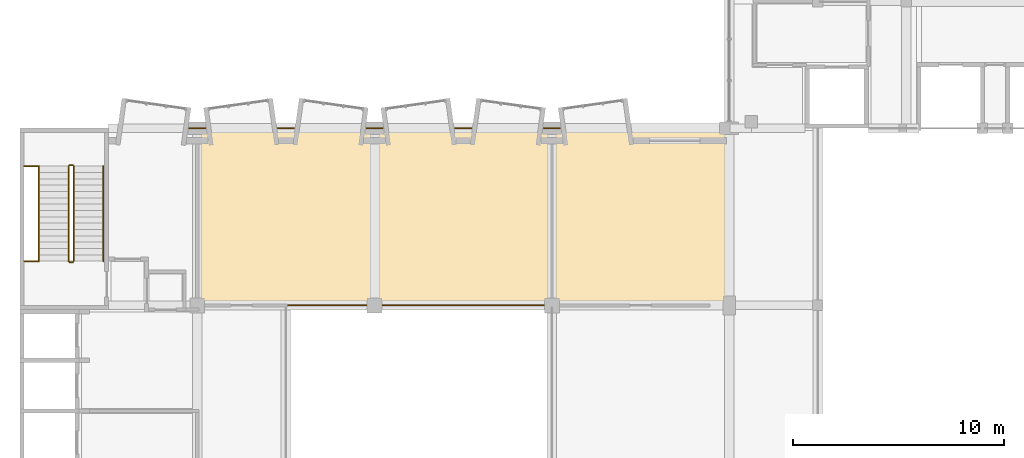
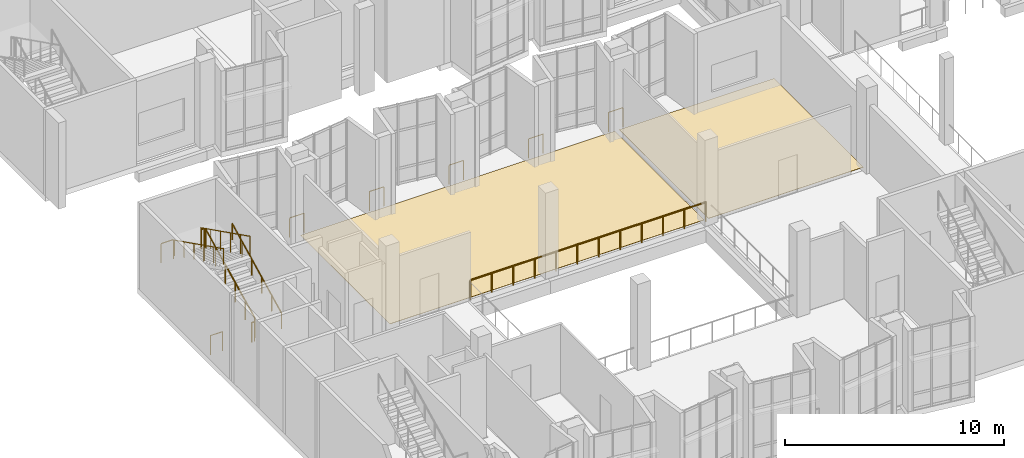
# One storey, part 86 of 100: 14 railings, 2 coverings.
"""IFC4 building model written with IfcOpenShell, lengths in metres."""

import ifcopenshell
import ifcopenshell.guid

model = None  # the IFC model being written
_history = None  # IfcOwnerHistory: only IFC2X3 demands one
_inside = {}  # id of a spatial element -> (the spatial element, [elements in it])
_under = {}  # id of a project, library or spatial element -> (it, [spatial elements below it])
_declared = {}  # id of a project -> (the project, [libraries it declares])
_typed = {}  # id of a type object -> (the type object, [elements of that type])
_made_of = {}  # id of a material, layer set ... -> (it, [elements and type objects made of it])


def new_model(schema):
    """Start an empty IFC model of exactly this schema.

    Asked for "IFC4X3", IfcOpenShell would pick the latest addendum, in which some entities
    have other attributes; the version numbers below select the first issue.
    IFC2X3 requires an IfcOwnerHistory on every rooted entity: one is made here for all.
    """
    global model, _history
    if schema == "IFC4X3":
        model = ifcopenshell.file(schema_version=(4, 3, 0, 0))
    else:
        model = ifcopenshell.file(schema=schema)
    _inside.clear()
    _under.clear()
    _declared.clear()
    _typed.clear()
    _made_of.clear()
    _history = None
    if model.schema == "IFC2X3":
        org = make("IfcOrganization", Name="unknown")
        user = make(
            "IfcPersonAndOrganization",
            ThePerson=make("IfcPerson", FamilyName="unknown"),
            TheOrganization=org,
        )
        app = make(
            "IfcApplication",
            ApplicationDeveloper=org,
            Version="unknown",
            ApplicationFullName="unknown",
            ApplicationIdentifier="unknown",
        )
        _history = make(
            "IfcOwnerHistory",
            OwningUser=user,
            OwningApplication=app,
            ChangeAction="ADDED",
            CreationDate=0,
        )
    return model


def make(cls, **values):
    """One entity of the class cls with the attributes given. An attribute that is None is left unset."""
    return model.create_entity(
        cls, **{name: value for name, value in values.items() if value is not None}
    )


def rooted(cls, **values):
    """An entity with a GlobalId (a new one), such as an element, a storey or a relation."""
    return make(cls, GlobalId=ifcopenshell.guid.new(), OwnerHistory=_history, **values)


def si_unit(unit_type, name, prefix=None):
    """IfcSIUnit, for example si_unit("LENGTHUNIT", "METRE", prefix="MILLI")."""
    return make("IfcSIUnit", UnitType=unit_type, Prefix=prefix, Name=name)


def assignment(units):
    """IfcUnitAssignment: the units of a project."""
    return None if units is None else make("IfcUnitAssignment", Units=units)


def point(xyz):
    """IfcCartesianPoint."""
    return None if xyz is None else make("IfcCartesianPoint", Coordinates=xyz)


def direction(xyz):
    """IfcDirection."""
    return None if xyz is None else make("IfcDirection", DirectionRatios=xyz)


def frame(location, z_axis=None, x_axis=None):
    """IfcAxis2Placement3D, a coordinate frame: its origin and axes. An axis left out is left unset."""
    return make(
        "IfcAxis2Placement3D",
        Location=point(location),
        Axis=direction(z_axis),
        RefDirection=direction(x_axis),
    )


def frame_2d(location, x_axis=None):
    """IfcAxis2Placement2D, a coordinate frame in the plane: its origin and x axis."""
    return make(
        "IfcAxis2Placement2D", Location=point(location), RefDirection=direction(x_axis)
    )


def origin():
    """The frame at (0, 0, 0) with its axes left unset."""
    return frame((0.0, 0.0, 0.0))


def origin_2d():
    """The frame at (0, 0) in the plane with its x axis left unset."""
    return frame_2d((0.0, 0.0))


def place(relative_to, where):
    """IfcLocalPlacement: puts the frame where relative to a parent placement (None: the world)."""
    return make(
        "IfcLocalPlacement", PlacementRelTo=relative_to, RelativePlacement=where
    )


def context(
    kind, dimensions, precision=None, world=None, true_north=None, identifier=None
):
    """IfcGeometricRepresentationContext, for example the 3D "Model" context."""
    return make(
        "IfcGeometricRepresentationContext",
        ContextIdentifier=identifier,
        ContextType=kind,
        CoordinateSpaceDimension=dimensions,
        Precision=precision,
        WorldCoordinateSystem=world,
        TrueNorth=true_north,
    )


def subcontext(parent, identifier, kind, view, scale=None):
    """IfcGeometricRepresentationSubContext, for example "Body" below "Model"."""
    return make(
        "IfcGeometricRepresentationSubContext",
        ContextIdentifier=identifier,
        ContextType=kind,
        ParentContext=parent,
        TargetScale=scale,
        TargetView=view,
    )


def project(units=None, contexts=None):
    """IfcProject with its units and contexts."""
    return rooted(
        "IfcProject",
        Name="project",
        RepresentationContexts=contexts,
        UnitsInContext=assignment(units),
    )


def spatial(cls, under=None, at=None, **own):
    """A site, building, storey or space (cls), placed at a placement, below another one or the project."""
    s = rooted(cls, ObjectPlacement=at, **own)
    if under is not None:
        _under.setdefault(under.id(), (under, []))[1].append(s)
    return s


def polyline(points):
    """IfcPolyline through the points."""
    return make("IfcPolyline", Points=[point(p) for p in points])


def profile(cls, at=None, kind="AREA", **sizes):
    """A parametric profile (cls). Its sizes go by their IFC names, for example OverallWidth=200.0."""
    return make(cls, ProfileType=kind, Position=at, **sizes)


def circle(**sizes):
    """IfcCircleProfileDef."""
    return profile("IfcCircleProfileDef", **sizes)


def outline(outer, holes=None, kind="AREA"):
    """IfcArbitraryClosedProfileDef: a profile drawn as a closed curve; with holes, ...WithVoids."""
    if holes is None:
        return make("IfcArbitraryClosedProfileDef", ProfileType=kind, OuterCurve=outer)
    return make(
        "IfcArbitraryProfileDefWithVoids",
        ProfileType=kind,
        OuterCurve=outer,
        InnerCurves=holes,
    )


def extrude(swept, where, along, depth):
    """IfcExtrudedAreaSolid: the profile swept, set in the frame where, extruded along a direction by depth."""
    return make(
        "IfcExtrudedAreaSolid",
        SweptArea=swept,
        Position=where,
        ExtrudedDirection=direction(along),
        Depth=depth,
    )


def shape(context_of_items, identifier, shape_type, items):
    """IfcShapeRepresentation: the items that make up one representation, for example the "Body"."""
    return make(
        "IfcShapeRepresentation",
        ContextOfItems=context_of_items,
        RepresentationIdentifier=identifier,
        RepresentationType=shape_type,
        Items=items,
    )


def material(Name=None, Category=None):
    """IfcMaterial."""
    return make("IfcMaterial", Name=Name, Category=Category)


def layer(
    of_material, thickness, ventilated=None, Name=None, Category=None, Priority=None
):
    """IfcMaterialLayer: one layer of a wall or slab, of a material (None: an air gap)."""
    return make(
        "IfcMaterialLayer",
        Material=of_material,
        LayerThickness=thickness,
        IsVentilated=ventilated,
        Name=Name,
        Category=Category,
        Priority=Priority,
    )


def layer_set(layers, Name=None):
    """IfcMaterialLayerSet."""
    return make("IfcMaterialLayerSet", MaterialLayers=layers, LayerSetName=Name)


def made_of(thing, what):
    """Note that an element or type object is made of a material, layer set ...; save() writes the relation."""
    if what is not None:
        _made_of.setdefault(what.id(), (what, []))[1].append(thing)
    return thing


def type_object(cls, material=None, **own):
    """A type object (cls), such as IfcWallType, which elements share."""
    return made_of(rooted(cls, **own), material)


def element(
    cls,
    number,
    at=None,
    inside=None,
    cuts=None,
    type_object=None,
    material=None,
    context=None,
    identifier="Body",
    shape_type=None,
    held_by="IfcProductDefinitionShape",
    body=None,
    shapes=None,
    **own,
):
    """One element of the class cls, such as IfcWall. Its Tag is "e" and its number.

    at: its placement. inside: the storey or other place that contains it. cuts: it is an
    opening in that element (IfcRelVoidsElement). A single representation is given by context,
    identifier, shape_type and body (its items); several are given by shapes. held_by: the class
    of the entity that holds the representations. save() writes the other relations.
    """
    e = rooted(cls, Tag="e%d" % number, ObjectPlacement=at, **own)
    if body is not None:
        shapes = [shape(context, identifier, shape_type, body)]
    if shapes is not None:
        e.Representation = make(held_by, Representations=shapes)
    if inside is not None:
        _inside.setdefault(inside.id(), (inside, []))[1].append(e)
    if cuts is not None:
        rooted(
            "IfcRelVoidsElement", RelatingBuildingElement=cuts, RelatedOpeningElement=e
        )
    if type_object is not None:
        _typed.setdefault(type_object.id(), (type_object, []))[1].append(e)
    return made_of(e, material)


def aggregate(whole, parts):
    """IfcRelAggregates: a whole, such as a stair, and the parts it consists of."""
    return rooted("IfcRelAggregates", RelatingObject=whole, RelatedObjects=parts)


def save(model, path):
    """Write the relations noted so far, then the file.

    IfcRelAggregates (storeys below a building ...), IfcRelContainedInSpatialStructure (elements
    in a storey), IfcRelDefinesByType, IfcRelAssociatesMaterial and IfcRelDeclares: one each for
    every whole, place, type object, material and project.
    """
    for whole, parts in _under.values():
        aggregate(whole, parts)
    for where, things in _inside.values():
        rooted(
            "IfcRelContainedInSpatialStructure",
            RelatedElements=things,
            RelatingStructure=where,
        )
    for kind, things in _typed.values():
        rooted("IfcRelDefinesByType", RelatedObjects=things, RelatingType=kind)
    for what, things in _made_of.values():
        rooted("IfcRelAssociatesMaterial", RelatedObjects=things, RelatingMaterial=what)
    for by, libraries in _declared.values():
        rooted("IfcRelDeclares", RelatingContext=by, RelatedDefinitions=libraries)
    model.write(path)


model = new_model("IFC4")

# Units and contexts
model_context = context("Model", 3, precision=1e-05, world=origin(), true_north=direction((0.0, 1.0)))
body_context = subcontext(model_context, "Body", "Model", "MODEL_VIEW")
ifc_project = project(units=[si_unit("LENGTHUNIT", "METRE"), si_unit("AREAUNIT", "SQUARE_METRE"), si_unit("VOLUMEUNIT", "CUBIC_METRE"), si_unit("PLANEANGLEUNIT", "RADIAN"), si_unit("MASSUNIT", "GRAM", prefix="KILO")], contexts=[model_context])

# Site, building, storey
site_placement = place(None, origin())
site = spatial("IfcSite", under=ifc_project, at=site_placement, CompositionType="ELEMENT")
building_placement = place(site_placement, origin())
building = spatial("IfcBuilding", under=site, at=building_placement, Name="Kiln Court Media Centre", CompositionType="ELEMENT")
storey_placement = place(building_placement, frame((0.0, 0.0, 15.0)))
storey = spatial("IfcBuildingStorey", under=building, at=storey_placement, Name="L03", CompositionType="ELEMENT", Elevation=15.0)

# Coverings
ifc_material_1 = material(Name="Carpet tile")
ifc_layer = layer(ifc_material_1, 0.014892578125)
ifc_layer_set = layer_set([ifc_layer], Name="Carpet tile floor finish 15")
covering_type = type_object("IfcCoveringType", Name="Carpet tile floor finish 15", PredefinedType="FLOORING", material=ifc_layer_set)
covering_1_placement = place(storey_placement, origin())
element("IfcCovering", 1, at=covering_1_placement, inside=storey, type_object=covering_type, Name="Closed Stacks floor finish", PredefinedType="FLOORING", context=body_context, shape_type="SweptSolid", body=[
    extrude(outline(polyline([(8.52001953125, 16.919921875), (25.080078125, 16.919921875), (25.080078125, 25.080078125), (8.52001953125, 25.080078125), (8.52001953125, 16.919921875)])), origin(), (0.0, 0.0, 1.0), 0.014892578125),
])
covering_2_placement = place(storey_placement, origin())
element("IfcCovering", 2, at=covering_2_placement, inside=storey, type_object=covering_type, Name="Map and Microfilm Room floor finish", PredefinedType="FLOORING", context=body_context, shape_type="SweptSolid", body=[
    extrude(outline(polyline([(25.320068359375, 16.919921875), (33.47998046875, 16.919921875), (33.47998046875, 25.080078125), (25.320068359375, 25.080078125), (25.320068359375, 16.919921875)])), origin(), (0.0, 0.0, 1.0), 0.014892578125),
])

# Railings
ifc_material_2 = material(Name="Steel S275", Category="steel")
railing_type_1 = type_object("IfcRailingType", Name="Steel S275 balustrade guard 1100", PredefinedType="GUARDRAIL", material=ifc_material_2)
railing_1_placement = place(storey_placement, frame((25.10498046875, 16.800048828125, 0.0)))
element("IfcRailing", 3, at=railing_1_placement, inside=storey, type_object=railing_type_1, Name="L03 void edge guard", PredefinedType="GUARDRAIL", context=body_context, shape_type="SweptSolid", body=[
    extrude(circle(Radius=0.02392578125, at=origin_2d()), frame((0.0, 0.0, 1.076171875), z_axis=(-1.0, 0.0, 0.0), x_axis=(0.0, -1.0, 0.0)), (0.0, 0.0, 1.0), 12.409912109375),
    extrude(circle(Radius=0.02099609375, at=origin_2d()), origin(), (0.0, 0.0, 1.0), 1.052001953125),
    extrude(circle(Radius=0.02099609375, at=origin_2d()), frame((-1.128173828125, 0.0, 0.0)), (0.0, 0.0, 1.0), 1.052001953125),
    extrude(circle(Radius=0.02099609375, at=origin_2d()), frame((-2.25634765625, 0.0, 0.0)), (0.0, 0.0, 1.0), 1.052001953125),
    extrude(circle(Radius=0.02099609375, at=origin_2d()), frame((-3.384521484375, 0.0, 0.0)), (0.0, 0.0, 1.0), 1.052001953125),
    extrude(circle(Radius=0.02099609375, at=origin_2d()), frame((-4.5126953125, 0.0, 0.0)), (0.0, 0.0, 1.0), 1.052001953125),
    extrude(circle(Radius=0.02099609375, at=origin_2d()), frame((-5.640869140625, 0.0, 0.0)), (0.0, 0.0, 1.0), 1.052001953125),
    extrude(circle(Radius=0.02099609375, at=origin_2d()), frame((-6.76904296875, 0.0, 0.0)), (0.0, 0.0, 1.0), 1.052001953125),
    extrude(circle(Radius=0.02099609375, at=origin_2d()), frame((-7.897216796875, 0.0, 0.0)), (0.0, 0.0, 1.0), 1.052001953125),
    extrude(circle(Radius=0.02099609375, at=origin_2d()), frame((-9.025390625, 0.0, 0.0)), (0.0, 0.0, 1.0), 1.052001953125),
    extrude(circle(Radius=0.02099609375, at=origin_2d()), frame((-10.153564453125, 0.0, 0.0)), (0.0, 0.0, 1.0), 1.052001953125),
    extrude(circle(Radius=0.02099609375, at=origin_2d()), frame((-11.28173828125, 0.0, 0.0)), (0.0, 0.0, 1.0), 1.052001953125),
    extrude(circle(Radius=0.02099609375, at=origin_2d()), frame((-12.409912109375, 0.0, 0.0)), (0.0, 0.0, 1.0), 1.052001953125),
])
for number, where, name in (
    (4, (8.017578125, 25.199951171875, 0.0), "L03 slab notch guard"),
    (5, (12.2177734375, 25.199951171875, 0.0), "L03 slab notch guard"),
    (6, (16.417724609375, 25.199951171875, 0.0), "L03 slab notch guard"),
    (7, (20.61767578125, 25.199951171875, 0.0), "L03 slab notch guard"),
    (8, (24.817626953125, 25.199951171875, 0.0), "L03 slab notch guard"),
):
    element("IfcRailing", number, at=place(storey_placement, frame(where)), inside=storey, type_object=railing_type_1, Name=name, PredefinedType="GUARDRAIL", context=body_context, shape_type="SweptSolid", body=[
        extrude(circle(Radius=0.02392578125, at=origin_2d()), frame((0.0, 0.0, 1.076171875), z_axis=(1.0, 0.0, 0.0), x_axis=(0.0, 1.0, 0.0)), (0.0, 0.0, 1.0), 0.7646484375),
        extrude(circle(Radius=0.02099609375, at=origin_2d()), origin(), (0.0, 0.0, 1.0), 1.052001953125),
        extrude(circle(Radius=0.02099609375, at=origin_2d()), frame((0.7646484375, 0.0, 0.0)), (0.0, 0.0, 1.0), 1.052001953125),
    ])
ifc_material_3 = material(Name="Steel S275", Category="steel")
railing_type_2 = type_object("IfcRailingType", Name="Steel S275 stair guard 1100", PredefinedType="GUARDRAIL", material=ifc_material_3)
railing_2_placement = place(storey_placement, frame((2.550048828125, 18.89990234375, 0.14990234375)))
element("IfcRailing", 9, at=railing_2_placement, inside=storey, type_object=railing_type_2, Name="ST-02 stair guard", PredefinedType="GUARDRAIL", context=body_context, shape_type="SweptSolid", body=[
    extrude(circle(Radius=0.02392578125, at=origin_2d()), frame((0.0, 0.0, 1.076171875), z_axis=(0.0, 0.894427191, 0.4472135955), x_axis=(-1.0, 0.0, 0.0)), (0.0, 0.0, 1.0), 5.03125),
    extrude(circle(Radius=0.02099609375, at=origin_2d()), origin(), (0.0, 0.0, 1.0), 1.052001953125),
    extrude(circle(Radius=0.02099609375, at=origin_2d()), frame((0.0, 0.89990234375, 0.449951171875)), (0.0, 0.0, 1.0), 1.052001953125),
    extrude(circle(Radius=0.02099609375, at=origin_2d()), frame((0.0, 1.800048828125, 0.89990234375)), (0.0, 0.0, 1.0), 1.052001953125),
    extrude(circle(Radius=0.02099609375, at=origin_2d()), frame((0.0, 2.699951171875, 1.35009765625)), (0.0, 0.0, 1.0), 1.052001953125),
    extrude(circle(Radius=0.02099609375, at=origin_2d()), frame((0.0, 3.60009765625, 1.800048828125)), (0.0, 0.0, 1.0), 1.052001953125),
    extrude(circle(Radius=0.02099609375, at=origin_2d()), frame((0.0, 4.5, 2.25)), (0.0, 0.0, 1.0), 1.052001953125),
])
railing_3_placement = place(storey_placement, frame((2.5, 23.449951171875, 2.39990234375)))
element("IfcRailing", 10, at=railing_3_placement, inside=storey, type_object=railing_type_2, Name="ST-02 stair guard", PredefinedType="GUARDRAIL", context=body_context, shape_type="SweptSolid", body=[
    extrude(circle(Radius=0.02392578125, at=origin_2d()), frame((0.0, 0.0, 1.076171875), z_axis=(-1.0, 0.0, 0.0), x_axis=(0.0, -1.0, 0.0)), (0.0, 0.0, 1.0), 0.14990234375),
    extrude(circle(Radius=0.02099609375, at=origin_2d()), origin(), (0.0, 0.0, 1.0), 1.052001953125),
    extrude(circle(Radius=0.02099609375, at=origin_2d()), frame((-0.14990234375, 0.0, 0.0)), (0.0, 0.0, 1.0), 1.052001953125),
])
railing_4_placement = place(storey_placement, frame((2.300048828125, 23.39990234375, 2.550048828125)))
element("IfcRailing", 11, at=railing_4_placement, inside=storey, type_object=railing_type_2, Name="ST-02 stair guard", PredefinedType="GUARDRAIL", context=body_context, shape_type="SweptSolid", body=[
    extrude(circle(Radius=0.02392578125, at=origin_2d()), frame((0.0, 0.0, 1.076171875), z_axis=(0.0, -0.894427191, 0.4472135955), x_axis=(1.0, 0.0, 0.0)), (0.0, 0.0, 1.0), 5.03125),
    extrude(circle(Radius=0.02099609375, at=origin_2d()), origin(), (0.0, 0.0, 1.0), 1.052001953125),
    extrude(circle(Radius=0.02099609375, at=origin_2d()), frame((0.0, -0.89990234375, 0.449951171875)), (0.0, 0.0, 1.0), 1.052001953125),
    extrude(circle(Radius=0.02099609375, at=origin_2d()), frame((0.0, -1.800048828125, 0.89990234375)), (0.0, 0.0, 1.0), 1.052001953125),
    extrude(circle(Radius=0.02099609375, at=origin_2d()), frame((0.0, -2.699951171875, 1.35009765625)), (0.0, 0.0, 1.0), 1.052001953125),
    extrude(circle(Radius=0.02099609375, at=origin_2d()), frame((0.0, -3.60009765625, 1.800048828125)), (0.0, 0.0, 1.0), 1.052001953125),
    extrude(circle(Radius=0.02099609375, at=origin_2d()), frame((0.0, -4.5, 2.25)), (0.0, 0.0, 1.0), 1.052001953125),
])
railing_5_placement = place(storey_placement, frame((2.5, 18.85009765625, 0.0)))
element("IfcRailing", 12, at=railing_5_placement, inside=storey, type_object=railing_type_2, Name="ST-02 stair guard", PredefinedType="GUARDRAIL", context=body_context, shape_type="SweptSolid", body=[
    extrude(circle(Radius=0.02392578125, at=origin_2d()), frame((0.0, 0.0, 1.076171875), z_axis=(-1.0, 0.0, 0.0), x_axis=(0.0, -1.0, 0.0)), (0.0, 0.0, 1.0), 0.14990234375),
    extrude(circle(Radius=0.02099609375, at=origin_2d()), origin(), (0.0, 0.0, 1.0), 1.052001953125),
    extrude(circle(Radius=0.02099609375, at=origin_2d()), frame((-0.14990234375, 0.0, 0.0)), (0.0, 0.0, 1.0), 1.052001953125),
])
for number, where, name in (
    (13, (0.85009765625, 23.39990234375, 2.39990234375), "ST-02 landing edge guard"),
    (14, (0.85009765625, 18.89990234375, 0.0), "ST-02 landing edge guard"),
):
    element("IfcRailing", number, at=place(storey_placement, frame(where)), inside=storey, type_object=railing_type_2, Name=name, PredefinedType="GUARDRAIL", context=body_context, shape_type="SweptSolid", body=[
        extrude(circle(Radius=0.02392578125, at=origin_2d()), frame((0.0, 0.0, 1.076171875), z_axis=(-1.0, 0.0, 0.0), x_axis=(0.0, -1.0, 0.0)), (0.0, 0.0, 1.0), 0.650146484375),
        extrude(circle(Radius=0.02099609375, at=origin_2d()), origin(), (0.0, 0.0, 1.0), 1.052001953125),
        extrude(circle(Radius=0.02099609375, at=origin_2d()), frame((-0.650146484375, 0.0, 0.0)), (0.0, 0.0, 1.0), 1.052001953125),
    ])
ifc_material_4 = material(Name="Steel S275", Category="steel")
railing_type_3 = type_object("IfcRailingType", Name="Steel S275 stair handrail 900", PredefinedType="HANDRAIL", material=ifc_material_4)
railing_6_placement = place(storey_placement, frame((3.949951171875, 18.89990234375, 0.14990234375)))
element("IfcRailing", 15, at=railing_6_placement, inside=storey, type_object=railing_type_3, Name="ST-02 stair handrail", PredefinedType="HANDRAIL", context=body_context, shape_type="SweptSolid", body=[
    extrude(circle(Radius=0.02392578125, at=origin_2d()), frame((0.0, 0.0, 0.8759765625), z_axis=(0.0, 0.894427191, 0.4472135955), x_axis=(-1.0, 0.0, 0.0)), (0.0, 0.0, 1.0), 5.03125),
    extrude(circle(Radius=0.02099609375, at=origin_2d()), origin(), (0.0, 0.0, 1.0), 0.851806640625),
    extrude(circle(Radius=0.02099609375, at=origin_2d()), frame((0.0, 0.89990234375, 0.449951171875)), (0.0, 0.0, 1.0), 0.851806640625),
    extrude(circle(Radius=0.02099609375, at=origin_2d()), frame((0.0, 1.800048828125, 0.89990234375)), (0.0, 0.0, 1.0), 0.851806640625),
    extrude(circle(Radius=0.02099609375, at=origin_2d()), frame((0.0, 2.699951171875, 1.35009765625)), (0.0, 0.0, 1.0), 0.851806640625),
    extrude(circle(Radius=0.02099609375, at=origin_2d()), frame((0.0, 3.60009765625, 1.800048828125)), (0.0, 0.0, 1.0), 0.851806640625),
    extrude(circle(Radius=0.02099609375, at=origin_2d()), frame((0.0, 4.5, 2.25)), (0.0, 0.0, 1.0), 0.851806640625),
])
railing_7_placement = place(storey_placement, frame((0.89990234375, 23.39990234375, 2.550048828125)))
element("IfcRailing", 16, at=railing_7_placement, inside=storey, type_object=railing_type_3, Name="ST-02 stair handrail", PredefinedType="HANDRAIL", context=body_context, shape_type="SweptSolid", body=[
    extrude(circle(Radius=0.02392578125, at=origin_2d()), frame((0.0, 0.0, 0.8759765625), z_axis=(0.0, -0.894427191, 0.4472135955), x_axis=(1.0, 0.0, 0.0)), (0.0, 0.0, 1.0), 5.03125),
    extrude(circle(Radius=0.02099609375, at=origin_2d()), origin(), (0.0, 0.0, 1.0), 0.851806640625),
    extrude(circle(Radius=0.02099609375, at=origin_2d()), frame((0.0, -0.89990234375, 0.449951171875)), (0.0, 0.0, 1.0), 0.851806640625),
    extrude(circle(Radius=0.02099609375, at=origin_2d()), frame((0.0, -1.800048828125, 0.89990234375)), (0.0, 0.0, 1.0), 0.851806640625),
    extrude(circle(Radius=0.02099609375, at=origin_2d()), frame((0.0, -2.699951171875, 1.35009765625)), (0.0, 0.0, 1.0), 0.851806640625),
    extrude(circle(Radius=0.02099609375, at=origin_2d()), frame((0.0, -3.60009765625, 1.800048828125)), (0.0, 0.0, 1.0), 0.851806640625),
    extrude(circle(Radius=0.02099609375, at=origin_2d()), frame((0.0, -4.5, 2.25)), (0.0, 0.0, 1.0), 0.851806640625),
])

save(model, "model.ifc")
